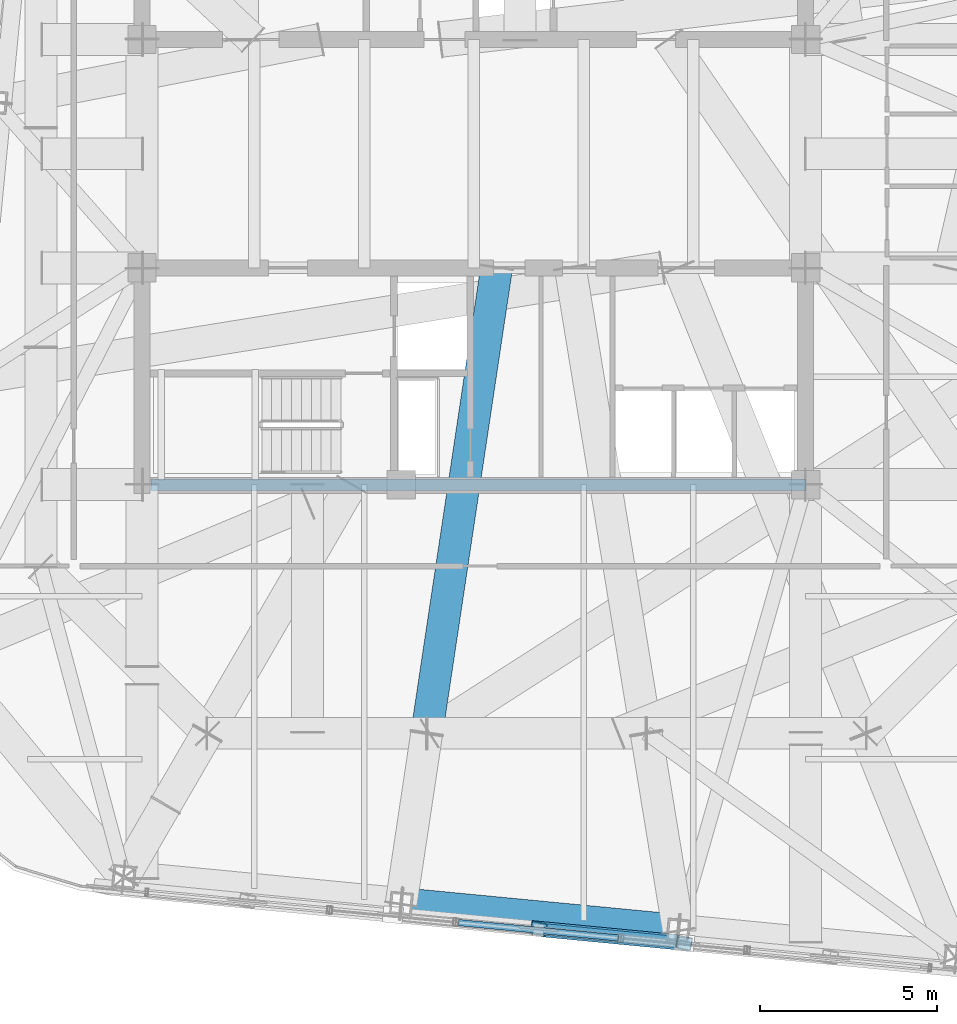
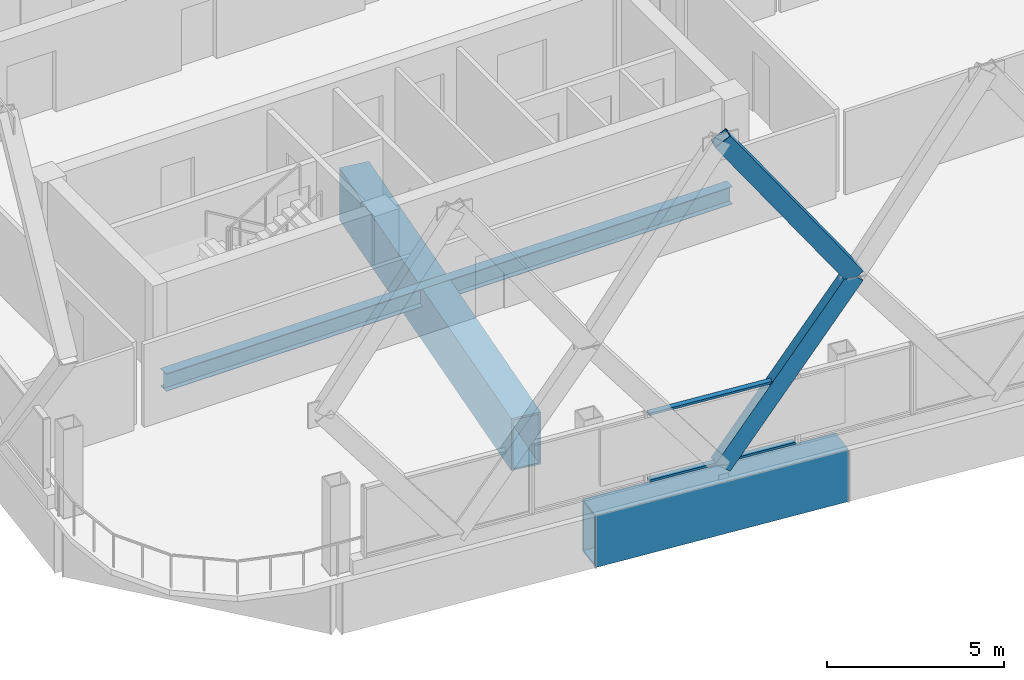
# One storey, part 7 of 31: 4 members, 3 beams, 1 element without a shape of its own.
"""IFC4 building model written with IfcOpenShell, lengths in metres."""

import ifcopenshell
import ifcopenshell.guid

model = None  # the IFC model being written
_history = None  # IfcOwnerHistory: only IFC2X3 demands one
_inside = {}  # id of a spatial element -> (the spatial element, [elements in it])
_under = {}  # id of a project, library or spatial element -> (it, [spatial elements below it])
_declared = {}  # id of a project -> (the project, [libraries it declares])
_typed = {}  # id of a type object -> (the type object, [elements of that type])
_made_of = {}  # id of a material, layer set ... -> (it, [elements and type objects made of it])


def new_model(schema):
    """Start an empty IFC model of exactly this schema.

    Asked for "IFC4X3", IfcOpenShell would pick the latest addendum, in which some entities
    have other attributes; the version numbers below select the first issue.
    IFC2X3 requires an IfcOwnerHistory on every rooted entity: one is made here for all.
    """
    global model, _history
    if schema == "IFC4X3":
        model = ifcopenshell.file(schema_version=(4, 3, 0, 0))
    else:
        model = ifcopenshell.file(schema=schema)
    _inside.clear()
    _under.clear()
    _declared.clear()
    _typed.clear()
    _made_of.clear()
    _history = None
    if model.schema == "IFC2X3":
        org = make("IfcOrganization", Name="unknown")
        user = make(
            "IfcPersonAndOrganization",
            ThePerson=make("IfcPerson", FamilyName="unknown"),
            TheOrganization=org,
        )
        app = make(
            "IfcApplication",
            ApplicationDeveloper=org,
            Version="unknown",
            ApplicationFullName="unknown",
            ApplicationIdentifier="unknown",
        )
        _history = make(
            "IfcOwnerHistory",
            OwningUser=user,
            OwningApplication=app,
            ChangeAction="ADDED",
            CreationDate=0,
        )
    return model


def make(cls, **values):
    """One entity of the class cls with the attributes given. An attribute that is None is left unset."""
    return model.create_entity(
        cls, **{name: value for name, value in values.items() if value is not None}
    )


def rooted(cls, **values):
    """An entity with a GlobalId (a new one), such as an element, a storey or a relation."""
    return make(cls, GlobalId=ifcopenshell.guid.new(), OwnerHistory=_history, **values)


def si_unit(unit_type, name, prefix=None):
    """IfcSIUnit, for example si_unit("LENGTHUNIT", "METRE", prefix="MILLI")."""
    return make("IfcSIUnit", UnitType=unit_type, Prefix=prefix, Name=name)


def assignment(units):
    """IfcUnitAssignment: the units of a project."""
    return None if units is None else make("IfcUnitAssignment", Units=units)


def point(xyz):
    """IfcCartesianPoint."""
    return None if xyz is None else make("IfcCartesianPoint", Coordinates=xyz)


def direction(xyz):
    """IfcDirection."""
    return None if xyz is None else make("IfcDirection", DirectionRatios=xyz)


def frame(location, z_axis=None, x_axis=None):
    """IfcAxis2Placement3D, a coordinate frame: its origin and axes. An axis left out is left unset."""
    return make(
        "IfcAxis2Placement3D",
        Location=point(location),
        Axis=direction(z_axis),
        RefDirection=direction(x_axis),
    )


def frame_2d(location, x_axis=None):
    """IfcAxis2Placement2D, a coordinate frame in the plane: its origin and x axis."""
    return make(
        "IfcAxis2Placement2D", Location=point(location), RefDirection=direction(x_axis)
    )


def origin():
    """The frame at (0, 0, 0) with its axes left unset."""
    return frame((0.0, 0.0, 0.0))


def origin_2d():
    """The frame at (0, 0) in the plane with its x axis left unset."""
    return frame_2d((0.0, 0.0))


def place(relative_to, where):
    """IfcLocalPlacement: puts the frame where relative to a parent placement (None: the world)."""
    return make(
        "IfcLocalPlacement", PlacementRelTo=relative_to, RelativePlacement=where
    )


def context(
    kind, dimensions, precision=None, world=None, true_north=None, identifier=None
):
    """IfcGeometricRepresentationContext, for example the 3D "Model" context."""
    return make(
        "IfcGeometricRepresentationContext",
        ContextIdentifier=identifier,
        ContextType=kind,
        CoordinateSpaceDimension=dimensions,
        Precision=precision,
        WorldCoordinateSystem=world,
        TrueNorth=true_north,
    )


def subcontext(parent, identifier, kind, view, scale=None):
    """IfcGeometricRepresentationSubContext, for example "Body" below "Model"."""
    return make(
        "IfcGeometricRepresentationSubContext",
        ContextIdentifier=identifier,
        ContextType=kind,
        ParentContext=parent,
        TargetScale=scale,
        TargetView=view,
    )


def project(units=None, contexts=None):
    """IfcProject with its units and contexts."""
    return rooted(
        "IfcProject",
        Name="project",
        RepresentationContexts=contexts,
        UnitsInContext=assignment(units),
    )


def spatial(cls, under=None, at=None, **own):
    """A site, building, storey or space (cls), placed at a placement, below another one or the project."""
    s = rooted(cls, ObjectPlacement=at, **own)
    if under is not None:
        _under.setdefault(under.id(), (under, []))[1].append(s)
    return s


def profile(cls, at=None, kind="AREA", **sizes):
    """A parametric profile (cls). Its sizes go by their IFC names, for example OverallWidth=200.0."""
    return make(cls, ProfileType=kind, Position=at, **sizes)


def hollow_rectangle(**sizes):
    """IfcRectangleHollowProfileDef."""
    return profile("IfcRectangleHollowProfileDef", **sizes)


def i_section(**sizes):
    """IfcIShapeProfileDef."""
    return profile("IfcIShapeProfileDef", **sizes)


def extrude(swept, where, along, depth):
    """IfcExtrudedAreaSolid: the profile swept, set in the frame where, extruded along a direction by depth."""
    return make(
        "IfcExtrudedAreaSolid",
        SweptArea=swept,
        Position=where,
        ExtrudedDirection=direction(along),
        Depth=depth,
    )


def shape(context_of_items, identifier, shape_type, items):
    """IfcShapeRepresentation: the items that make up one representation, for example the "Body"."""
    return make(
        "IfcShapeRepresentation",
        ContextOfItems=context_of_items,
        RepresentationIdentifier=identifier,
        RepresentationType=shape_type,
        Items=items,
    )


def material(Name=None, Category=None):
    """IfcMaterial."""
    return make("IfcMaterial", Name=Name, Category=Category)


def layer(
    of_material, thickness, ventilated=None, Name=None, Category=None, Priority=None
):
    """IfcMaterialLayer: one layer of a wall or slab, of a material (None: an air gap)."""
    return make(
        "IfcMaterialLayer",
        Material=of_material,
        LayerThickness=thickness,
        IsVentilated=ventilated,
        Name=Name,
        Category=Category,
        Priority=Priority,
    )


def layer_set(layers, Name=None):
    """IfcMaterialLayerSet."""
    return make("IfcMaterialLayerSet", MaterialLayers=layers, LayerSetName=Name)


def material_profile(
    of_material, cross_section, Name=None, Category=None, Priority=None
):
    """IfcMaterialProfile: a cross section and its material."""
    return make(
        "IfcMaterialProfile",
        Name=Name,
        Material=of_material,
        Profile=cross_section,
        Priority=Priority,
        Category=Category,
    )


def profile_set(profiles, Name=None, composite=None):
    """IfcMaterialProfileSet."""
    return make(
        "IfcMaterialProfileSet",
        Name=Name,
        MaterialProfiles=profiles,
        CompositeProfile=composite,
    )


def made_of(thing, what):
    """Note that an element or type object is made of a material, layer set ...; save() writes the relation."""
    if what is not None:
        _made_of.setdefault(what.id(), (what, []))[1].append(thing)
    return thing


def type_object(cls, material=None, **own):
    """A type object (cls), such as IfcWallType, which elements share."""
    return made_of(rooted(cls, **own), material)


def element(
    cls,
    number,
    at=None,
    inside=None,
    cuts=None,
    type_object=None,
    material=None,
    context=None,
    identifier="Body",
    shape_type=None,
    held_by="IfcProductDefinitionShape",
    body=None,
    shapes=None,
    **own,
):
    """One element of the class cls, such as IfcWall. Its Tag is "e" and its number.

    at: its placement. inside: the storey or other place that contains it. cuts: it is an
    opening in that element (IfcRelVoidsElement). A single representation is given by context,
    identifier, shape_type and body (its items); several are given by shapes. held_by: the class
    of the entity that holds the representations. save() writes the other relations.
    """
    e = rooted(cls, Tag="e%d" % number, ObjectPlacement=at, **own)
    if body is not None:
        shapes = [shape(context, identifier, shape_type, body)]
    if shapes is not None:
        e.Representation = make(held_by, Representations=shapes)
    if inside is not None:
        _inside.setdefault(inside.id(), (inside, []))[1].append(e)
    if cuts is not None:
        rooted(
            "IfcRelVoidsElement", RelatingBuildingElement=cuts, RelatedOpeningElement=e
        )
    if type_object is not None:
        _typed.setdefault(type_object.id(), (type_object, []))[1].append(e)
    return made_of(e, material)


def aggregate(whole, parts):
    """IfcRelAggregates: a whole, such as a stair, and the parts it consists of."""
    return rooted("IfcRelAggregates", RelatingObject=whole, RelatedObjects=parts)


def save(model, path):
    """Write the relations noted so far, then the file.

    IfcRelAggregates (storeys below a building ...), IfcRelContainedInSpatialStructure (elements
    in a storey), IfcRelDefinesByType, IfcRelAssociatesMaterial and IfcRelDeclares: one each for
    every whole, place, type object, material and project.
    """
    for whole, parts in _under.values():
        aggregate(whole, parts)
    for where, things in _inside.values():
        rooted(
            "IfcRelContainedInSpatialStructure",
            RelatedElements=things,
            RelatingStructure=where,
        )
    for kind, things in _typed.values():
        rooted("IfcRelDefinesByType", RelatedObjects=things, RelatingType=kind)
    for what, things in _made_of.values():
        rooted("IfcRelAssociatesMaterial", RelatedObjects=things, RelatingMaterial=what)
    for by, libraries in _declared.values():
        rooted("IfcRelDeclares", RelatingContext=by, RelatedDefinitions=libraries)
    model.write(path)


model = new_model("IFC4")

# Units and contexts
model_context = context("Model", 3, precision=1e-05, world=origin(), true_north=direction((0.0, 1.0)))
body_context = subcontext(model_context, "Body", "Model", "MODEL_VIEW")
ifc_project = project(units=[si_unit("LENGTHUNIT", "METRE"), si_unit("AREAUNIT", "SQUARE_METRE"), si_unit("VOLUMEUNIT", "CUBIC_METRE"), si_unit("PLANEANGLEUNIT", "RADIAN"), si_unit("MASSUNIT", "GRAM", prefix="KILO")], contexts=[model_context])

# Site, building, storey
site_placement = place(None, origin())
site = spatial("IfcSite", under=ifc_project, at=site_placement, CompositionType="ELEMENT")
building_placement = place(site_placement, origin())
building = spatial("IfcBuilding", under=site, at=building_placement, Name="Qhalaya Broadcast Tower", CompositionType="ELEMENT")
storey_placement = place(building_placement, frame((0.0, 0.0, 242.85009765625)))
storey = spatial("IfcBuildingStorey", under=building, at=storey_placement, Name="L71", CompositionType="ELEMENT", Elevation=242.85009765625)

# Beams
ifc_material_1 = material(Name="Structural Steel ASTM A572 Grade 50", Category="steel")
ifc_material_profile_1 = material_profile(ifc_material_1, hollow_rectangle(XDim=0.89990234375, YDim=1.800048828125, WallThickness=0.06005859375, at=origin_2d()), Name="BOX 900x1800x60")
ifc_profile_set_1 = profile_set([ifc_material_profile_1], Name="Structural Steel ASTM A572 Grade 50")
beam_type_1 = type_object("IfcBeamType", Name="Block Cantilever Transfer Box Girder TG1", PredefinedType="USERDEFINED", material=ifc_profile_set_1)
beam_1_placement = place(storey_placement, frame((-2.052490234375, -20.58251953125, -1.090087890625), z_axis=(0.995397023367, -0.095837184179, 0.0), x_axis=(0.095837184179, 0.995397023367, 0.0)))
element("IfcBeam", 1, at=beam_1_placement, inside=storey, type_object=beam_type_1, Name="L71 TG1 L71-SPR-02", ObjectType="GIRDER", PredefinedType="USERDEFINED", context=body_context, shape_type="SweptSolid", body=[
    extrude(hollow_rectangle(XDim=0.89990234375, YDim=1.800048828125, WallThickness=0.06005859375, at=origin_2d()), origin(), (0.0, 0.0, 1.0), 7.866455078125),
])
beam_2_placement = place(storey_placement, frame((0.6435546875, -2.625, -1.090087890625), z_axis=(-0.14847876526, -0.988915596129, 0.0), x_axis=(0.988915596129, -0.14847876526, 0.0)))
element("IfcBeam", 2, at=beam_2_placement, inside=storey, type_object=beam_type_1, Name="L71 Collinear Back-Span Transfer Box Girder 02", ObjectType="GIRDER", PredefinedType="USERDEFINED", context=body_context, shape_type="SweptSolid", body=[
    extrude(hollow_rectangle(XDim=0.89990234375, YDim=1.800048828125, WallThickness=0.06005859375, at=origin_2d()), origin(), (0.0, 0.0, 1.0), 13.292236328125),
])
ifc_material_2 = material(Name="Structural Steel ASTM A992 Grade 50", Category="steel")
ifc_material_profile_2 = material_profile(ifc_material_2, i_section(OverallWidth=0.323974609375, OverallDepth=0.612060546875, WebThickness=0.0126953125, FlangeThickness=0.01904296875, at=origin_2d()), Name="W24X104")
ifc_profile_set_2 = profile_set([ifc_material_profile_2], Name="Structural Steel ASTM A992 Grade 50")
beam_type_2 = type_object("IfcBeamType", Name="Core Frame Tie Beam B04", PredefinedType="BEAM", material=ifc_profile_set_2)
beam_3_placement = place(storey_placement, frame((-9.1201171875, -8.75, -0.49609375), z_axis=(1.0, 0.0, 0.0), x_axis=(0.0, 1.0, 0.0)))
element("IfcBeam", 3, at=beam_3_placement, inside=storey, type_object=beam_type_2, Name="L71 B04 L71-CCS3", PredefinedType="BEAM", context=body_context, shape_type="SweptSolid", body=[
    extrude(i_section(OverallWidth=0.323974609375, OverallDepth=0.612060546875, WebThickness=0.0126953125, FlangeThickness=0.01904296875, at=origin_2d()), origin(), (0.0, 0.0, 1.0), 18.4951171875),
])

# Members
ifc_material_profile_3 = material_profile(ifc_material_1, hollow_rectangle(XDim=0.3798828125, YDim=0.550048828125, WallThickness=0.02490234375, at=origin_2d()), Name="BOX 380x550x25")
ifc_profile_set_3 = profile_set([ifc_material_profile_3], Name="Structural Steel ASTM A572 Grade 50")
member_type_1 = type_object("IfcMemberType", Name="Exoskeleton Diamond Diagonal Upper EX4", PredefinedType="BRACE", material=ifc_profile_set_3)
member_1_placement = place(storey_placement, frame((1.830078125, -21.2978515625, 0.35986328125), z_axis=(0.605362942159, -0.058301925892, 0.793811434597), x_axis=(0.171157163881, 0.983517925101, -0.058289932722)))
element("IfcMember", 4, at=member_1_placement, inside=storey, type_object=member_type_1, Name="B6 Exoskeleton Diamond Brace S2-D2", PredefinedType="BRACE", context=body_context, shape_type="SweptSolid", body=[
    extrude(hollow_rectangle(XDim=0.3798828125, YDim=0.550048828125, WallThickness=0.02490234375, at=origin_2d()), origin(), (0.0, 0.0, 1.0), 6.79638671875),
])
member_2_placement = place(storey_placement, frame((5.9443359375, -21.694091796875, 5.7548828125), z_axis=(-0.572753444041, 0.055161336321, 0.817869622443), x_axis=(-0.173452418829, -0.983296871293, -0.055149989195)))
element("IfcMember", 5, at=member_2_placement, inside=storey, type_object=member_type_1, Name="B6 Exoskeleton Diamond Brace S2-D4", PredefinedType="BRACE", context=body_context, shape_type="SweptSolid", body=[
    extrude(hollow_rectangle(XDim=0.3798828125, YDim=0.550048828125, WallThickness=0.02490234375, at=origin_2d()), origin(), (0.0, 0.0, 1.0), 7.183349609375),
])

# Curtain wall, members
ifc_material_3 = material(Name="Fired Architectural Terracotta", Category="masonry")
ifc_layer = layer(ifc_material_3, 0.219970703125, Name="Fired Architectural Terracotta")
ifc_layer_set = layer_set([ifc_layer], Name="Fired Architectural Terracotta")
curtain_wall_type = type_object("IfcCurtainWallType", Name="Block-Cap Unitised Terracotta Spandrel Wall CW-07", PredefinedType="NOTDEFINED", material=ifc_layer_set)
curtain_wall_placement = place(storey_placement, origin())
curtain_wall = element("IfcCurtainWall", 6, at=curtain_wall_placement, inside=storey, type_object=curtain_wall_type, Name="L71 Unitised Curtain Wall L71-CW-S3", PredefinedType="NOTDEFINED")
ifc_material_4 = material(Name="Anodised Aluminium 6063-T6", Category="aluminium")
ifc_material_profile_4 = material_profile(ifc_material_4, hollow_rectangle(XDim=0.074951171875, YDim=0.179931640625, WallThickness=0.00390625, at=origin_2d()), Name="ALU-TRN 75x180x4")
ifc_profile_set_4 = profile_set([ifc_material_profile_4], Name="Anodised Aluminium 6063-T6")
member_type_2 = type_object("IfcMemberType", Name="Unitised Curtain-Wall Transom T01", PredefinedType="USERDEFINED", material=ifc_profile_set_4)
member_3_placement = place(storey_placement, frame((-0.43115234375, -21.120361328125, 0.517333984375), z_axis=(0.995394520898, -0.095863172104, 0.0), x_axis=(0.0, 0.0, 1.0)))
member_3 = element("IfcMember", 7, at=member_3_placement, type_object=member_type_2, Name="CW-07 transom 1.1", ObjectType="TRANSOM", PredefinedType="USERDEFINED", context=body_context, shape_type="SweptSolid", body=[
    extrude(hollow_rectangle(XDim=0.074951171875, YDim=0.179931640625, WallThickness=0.00390625, at=origin_2d()), origin(), (0.0, 0.0, 1.0), 4.535888671875),
])
member_4_placement = place(storey_placement, frame((-0.43115234375, -21.120361328125, 2.822509765625), z_axis=(0.995394520898, -0.095863172104, 0.0), x_axis=(0.0, 0.0, 1.0)))
member_4 = element("IfcMember", 8, at=member_4_placement, type_object=member_type_2, Name="CW-07 transom 1.2", ObjectType="TRANSOM", PredefinedType="USERDEFINED", context=body_context, shape_type="SweptSolid", body=[
    extrude(hollow_rectangle(XDim=0.074951171875, YDim=0.179931640625, WallThickness=0.00390625, at=origin_2d()), origin(), (0.0, 0.0, 1.0), 4.535888671875),
])
aggregate(curtain_wall, [member_3, member_4])

save(model, "model.ifc")
